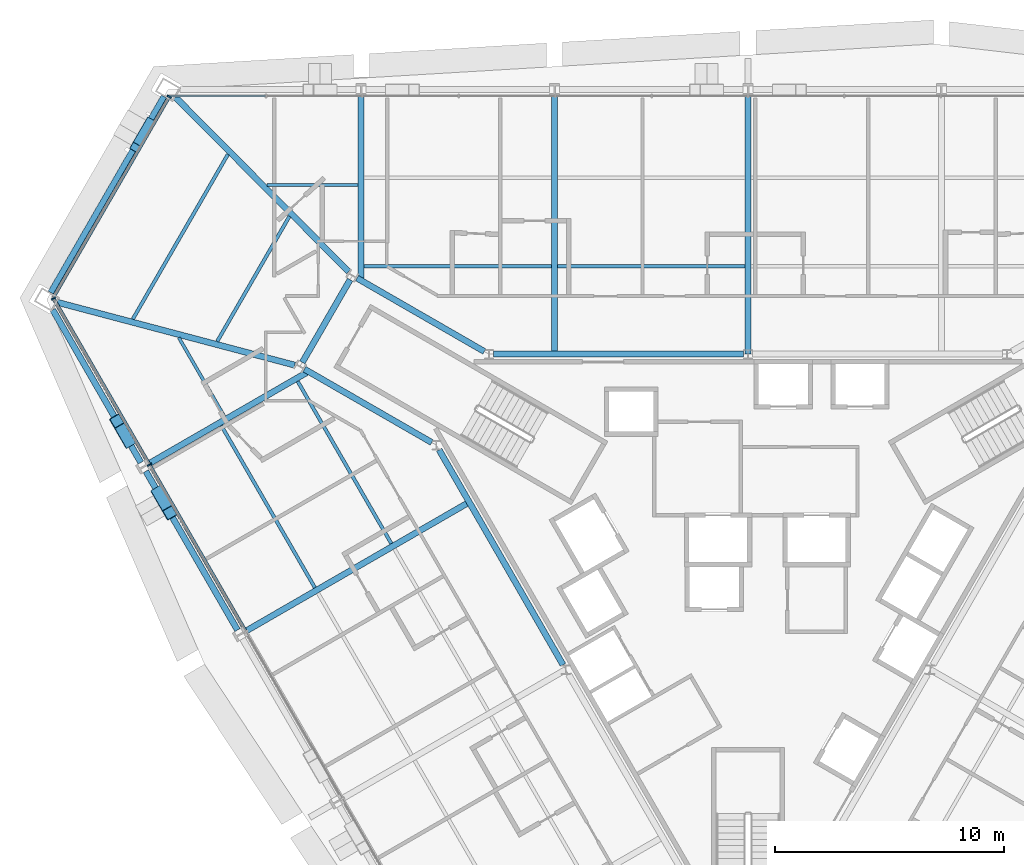
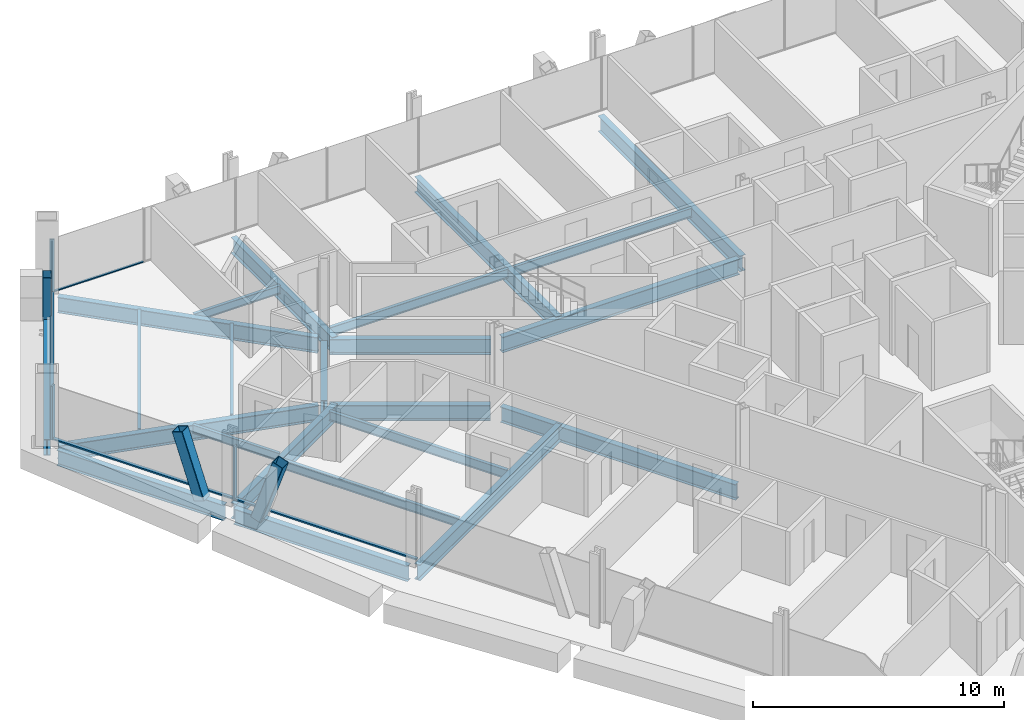
# One storey, part 5 of 17: 23 beams, 10 members, 3 elements without a shape of their own.
"""IFC4 building model written with IfcOpenShell, lengths in metres."""

from ifc_helpers import new_model, si_unit, direction, frame, origin, origin_2d, place, context, subcontext, project, spatial, rectangle, hollow_rectangle, i_section, extrude, material, material_profile, profile_set, type_object, element, aggregate, save


model = new_model("IFC4")

# Units and contexts
model_context = context("Model", 3, precision=1e-05, world=origin(), true_north=direction((0.0, 1.0)))
body_context = subcontext(model_context, "Body", "Model", "MODEL_VIEW")
ifc_project = project(units=[si_unit("LENGTHUNIT", "METRE"), si_unit("AREAUNIT", "SQUARE_METRE"), si_unit("VOLUMEUNIT", "CUBIC_METRE"), si_unit("PLANEANGLEUNIT", "RADIAN"), si_unit("MASSUNIT", "GRAM", prefix="KILO")], contexts=[model_context])

# Site, building, storey
site_placement = place(None, origin())
site = spatial("IfcSite", under=ifc_project, at=site_placement, CompositionType="ELEMENT")
building_placement = place(site_placement, origin())
building = spatial("IfcBuilding", under=site, at=building_placement, Name="Verrane Prism Tower", CompositionType="ELEMENT")
storey_placement = place(building_placement, frame((0.0, 0.0, 40.39990234375)))
storey = spatial("IfcBuildingStorey", under=building, at=storey_placement, Name="L07", CompositionType="ELEMENT", Elevation=40.39990234375)

# Member
ifc_material_1 = material(Name="Steel A500 Grade C", Category="steel")
ifc_material_profile_1 = material_profile(ifc_material_1, hollow_rectangle(XDim=0.355712890625, YDim=0.355712890625, WallThickness=0.0126953125, InnerFilletRadius=0.00634765625, OuterFilletRadius=0.01904296875, at=origin_2d()), Name="HSS14x14x1/2")
ifc_profile_set_1 = profile_set([ifc_material_profile_1], Name="Steel A500 Grade C")
member_type_1 = type_object("IfcMemberType", Name="Chamfer brace HSS14x14x1/2", PredefinedType="BRACE", material=ifc_profile_set_1)
member_1_placement = place(storey_placement, frame((-26.18994140625, 19.349853515625, -0.2451171875), z_axis=(-0.193856733958, -0.335783542661, 0.921774907001), x_axis=(0.866034321076, -0.49998455448, 0.0)))
element("IfcMember", 1, at=member_1_placement, inside=storey, type_object=member_type_1, Name="Chamfer brace NW0 L07", PredefinedType="BRACE", context=body_context, shape_type="SweptSolid", body=[
    extrude(hollow_rectangle(XDim=0.355712890625, YDim=0.355712890625, WallThickness=0.0126953125, InnerFilletRadius=0.00634765625, OuterFilletRadius=0.01904296875, at=origin_2d()), origin(), (0.0, 0.0, 1.0), 3.258056640625),
])

# Beams
ifc_material_2 = material(Name="Steel A992", Category="steel")
ifc_material_profile_2 = material_profile(ifc_material_2, i_section(OverallWidth=0.2666015625, OverallDepth=0.76708984375, WebThickness=0.014892578125, FlangeThickness=0.023681640625, FilletRadius=0.0166015625, at=origin_2d()), Name="W30x124")
ifc_profile_set_2 = profile_set([ifc_material_profile_2], Name="Steel A992")
beam_type_1 = type_object("IfcBeamType", Name="Chamfer spandrel beam W30x124", PredefinedType="SPANDREL", material=ifc_profile_set_2)
beam_1_placement = place(storey_placement, frame((-25.544921875, 20.466796875, -0.54345703125), z_axis=(-0.500011342071, -0.866018855338, 0.0), x_axis=(0.866018855338, -0.500011342071, 0.0)))
element("IfcBeam", 2, at=beam_1_placement, inside=storey, type_object=beam_type_1, Name="Chamfer spandrel beam L07", PredefinedType="SPANDREL", context=body_context, shape_type="SweptSolid", body=[
    extrude(i_section(OverallWidth=0.2666015625, OverallDepth=0.76708984375, WebThickness=0.014892578125, FlangeThickness=0.023681640625, FilletRadius=0.0166015625, at=origin_2d()), origin(), (0.0, 0.0, 1.0), 9.900146484375),
])
ifc_material_3 = material(Name="Steel A992", Category="steel")
ifc_material_profile_3 = material_profile(ifc_material_3, i_section(OverallWidth=0.2666015625, OverallDepth=0.7568359375, WebThickness=0.013916015625, FlangeThickness=0.019287109375, FilletRadius=0.0166015625, at=origin_2d()), Name="W30x108")
ifc_profile_set_3 = profile_set([ifc_material_profile_3], Name="Steel A992")
beam_type_2 = type_object("IfcBeamType", Name="Core ring girder W30x108", PredefinedType="BEAM", material=ifc_profile_set_3)
beam_2_placement = place(storey_placement, frame((-0.203125, 9.199951171875, -0.62841796875), z_axis=(-1.0, 0.0, 0.0), x_axis=(0.0, -1.0, 0.0)))
element("IfcBeam", 3, at=beam_2_placement, inside=storey, type_object=beam_type_2, Name="Core ring girder L07", PredefinedType="BEAM", context=body_context, shape_type="SweptSolid", body=[
    extrude(i_section(OverallWidth=0.2666015625, OverallDepth=0.7568359375, WebThickness=0.013916015625, FlangeThickness=0.019287109375, FilletRadius=0.0166015625, at=origin_2d()), origin(), (0.0, 0.0, 1.0), 10.923583984375),
])
beam_3_placement = place(storey_placement, frame((-11.533203125, 9.317138671875, -0.62841796875), z_axis=(-0.866447229751, 0.499268663203, 0.0), x_axis=(-0.499268663203, -0.866447229751, 0.0)))
element("IfcBeam", 4, at=beam_3_placement, inside=storey, type_object=beam_type_2, Name="Core ring girder L07", PredefinedType="BEAM", context=body_context, shape_type="SweptSolid", body=[
    extrude(i_section(OverallWidth=0.2666015625, OverallDepth=0.7568359375, WebThickness=0.013916015625, FlangeThickness=0.019287109375, FilletRadius=0.0166015625, at=origin_2d()), origin(), (0.0, 0.0, 1.0), 6.428466796875),
])
beam_4_placement = place(storey_placement, frame((-17.40478515625, 12.45849609375, -0.62841796875), z_axis=(-0.500349643494, -0.865823442888, 0.0), x_axis=(0.865823442888, -0.500349643494, 0.0)))
element("IfcBeam", 5, at=beam_4_placement, inside=storey, type_object=beam_type_2, Name="Core ring girder L07", PredefinedType="BEAM", context=body_context, shape_type="SweptSolid", body=[
    extrude(i_section(OverallWidth=0.2666015625, OverallDepth=0.7568359375, WebThickness=0.013916015625, FlangeThickness=0.019287109375, FilletRadius=0.0166015625, at=origin_2d()), origin(), (0.0, 0.0, 1.0), 4.177734375),
])
beam_5_placement = place(storey_placement, frame((-19.403076171875, 8.54638671875, -0.62841796875), z_axis=(0.86646365882, -0.499240150574, 0.0), x_axis=(0.499240150574, 0.86646365882, 0.0)))
element("IfcBeam", 6, at=beam_5_placement, inside=storey, type_object=beam_type_2, Name="Core ring girder L07", PredefinedType="BEAM", context=body_context, shape_type="SweptSolid", body=[
    extrude(i_section(OverallWidth=0.2666015625, OverallDepth=0.7568359375, WebThickness=0.013916015625, FlangeThickness=0.019287109375, FilletRadius=0.0166015625, at=origin_2d()), origin(), (0.0, 0.0, 1.0), 6.42822265625),
])
beam_6_placement = place(storey_placement, frame((-13.510009765625, 5.01171875, -0.62841796875), z_axis=(0.499371892062, -0.866387738498, 0.0), x_axis=(0.866387738498, 0.499371892062, 0.0)))
element("IfcBeam", 7, at=beam_6_placement, inside=storey, type_object=beam_type_2, Name="Core ring girder L07", PredefinedType="BEAM", context=body_context, shape_type="SweptSolid", body=[
    extrude(i_section(OverallWidth=0.2666015625, OverallDepth=0.7568359375, WebThickness=0.013916015625, FlangeThickness=0.019287109375, FilletRadius=0.0166015625, at=origin_2d()), origin(), (0.0, 0.0, 1.0), 10.853515625),
])
ifc_material_4 = material(Name="Steel A992", Category="steel")
ifc_material_profile_4 = material_profile(ifc_material_4, i_section(OverallWidth=0.2666015625, OverallDepth=0.76708984375, WebThickness=0.014892578125, FlangeThickness=0.023681640625, FilletRadius=0.0166015625, at=origin_2d()), Name="W30x124")
ifc_profile_set_4 = profile_set([ifc_material_profile_4], Name="Steel A992")
beam_type_3 = type_object("IfcBeamType", Name="Corner girder W30x124", PredefinedType="BEAM", material=ifc_profile_set_4)
beam_7_placement = place(storey_placement, frame((-25.04150390625, 20.43896484375, -0.603515625), z_axis=(0.704479617192, -0.709724220356, 0.0), x_axis=(0.709724220356, 0.704479617192, 0.0)))
element("IfcBeam", 8, at=beam_7_placement, inside=storey, type_object=beam_type_3, Name="Corner girder L07", PredefinedType="BEAM", context=body_context, shape_type="SweptSolid", body=[
    extrude(i_section(OverallWidth=0.2666015625, OverallDepth=0.76708984375, WebThickness=0.014892578125, FlangeThickness=0.023681640625, FilletRadius=0.0166015625, at=origin_2d()), origin(), (0.0, 0.0, 1.0), 10.753173828125),
])
beam_8_placement = place(storey_placement, frame((-30.21923828125, 11.470703125, -0.603515625), z_axis=(0.966710515477, -0.255872584047, 0.0), x_axis=(0.255872584047, 0.966710515477, 0.0)))
element("IfcBeam", 9, at=beam_8_placement, inside=storey, type_object=beam_type_3, Name="Corner girder L07", PredefinedType="BEAM", context=body_context, shape_type="SweptSolid", body=[
    extrude(i_section(OverallWidth=0.2666015625, OverallDepth=0.76708984375, WebThickness=0.014892578125, FlangeThickness=0.023681640625, FilletRadius=0.0166015625, at=origin_2d()), origin(), (0.0, 0.0, 1.0), 10.74951171875),
])

# Members
ifc_material_5 = material(Name="Steel A1085 Grade A", Category="steel")
ifc_material_profile_5 = material_profile(ifc_material_5, hollow_rectangle(XDim=0.508056640625, YDim=0.508056640625, WallThickness=0.025390625, InnerFilletRadius=0.0126953125, OuterFilletRadius=0.0380859375, at=origin_2d()), Name="HSS20x20x1")
ifc_profile_set_5 = profile_set([ifc_material_profile_5], Name="Steel A1085 Grade A")
member_type_2 = type_object("IfcMemberType", Name="Facade brace HSS20x20x1", PredefinedType="BRACE", material=ifc_profile_set_5)
member_2_placement = place(storey_placement, frame((-27.102294921875, 5.401611328125, -0.242431640625), z_axis=(-0.158827331788, 0.27540844015, 0.94811606345), x_axis=(-0.86627019449, -0.499575770167, 0.0)))
element("IfcMember", 10, at=member_2_placement, inside=storey, type_object=member_type_2, Name="Facade brace SW0 L07", PredefinedType="BRACE", context=body_context, shape_type="SweptSolid", body=[
    extrude(hollow_rectangle(XDim=0.508056640625, YDim=0.508056640625, WallThickness=0.025390625, InnerFilletRadius=0.0126953125, OuterFilletRadius=0.0380859375, at=origin_2d()), origin(), (0.0, 0.0, 1.0), 3.172607421875),
])
member_3_placement = place(storey_placement, frame((-25.7958984375, 3.13671875, -0.242431640625), z_axis=(0.159110480568, -0.275750465356, 0.947969163965), x_axis=(0.866153397047, 0.499778243608, 0.0)))
element("IfcMember", 11, at=member_3_placement, inside=storey, type_object=member_type_2, Name="Facade brace SW1 L07", PredefinedType="BRACE", context=body_context, shape_type="SweptSolid", body=[
    extrude(hollow_rectangle(XDim=0.508056640625, YDim=0.508056640625, WallThickness=0.025390625, InnerFilletRadius=0.0126953125, OuterFilletRadius=0.0380859375, at=origin_2d()), origin(), (0.0, 0.0, 1.0), 3.173095703125),
])

# Beams
ifc_material_6 = material(Name="Steel A992", Category="steel")
ifc_material_profile_6 = material_profile(ifc_material_6, i_section(OverallWidth=0.140380859375, OverallDepth=0.40380859375, WebThickness=0.007080078125, FlangeThickness=0.01123046875, FilletRadius=0.01025390625, at=origin_2d()), Name="W16x31")
ifc_profile_set_6 = profile_set([ifc_material_profile_6], Name="Steel A992")
beam_type_4 = type_object("IfcBeamType", Name="Floor beam W16x31", PredefinedType="BEAM", material=ifc_profile_set_6)
beam_9_placement = place(storey_placement, frame((-21.03759765625, 16.594970703125, -0.36181640625), z_axis=(1.0, 0.0, 0.0), x_axis=(0.0, 1.0, 0.0)))
element("IfcBeam", 12, at=beam_9_placement, inside=storey, type_object=beam_type_4, Name="Floor beam L07", PredefinedType="BEAM", context=body_context, shape_type="SweptSolid", body=[
    extrude(i_section(OverallWidth=0.140380859375, OverallDepth=0.40380859375, WebThickness=0.007080078125, FlangeThickness=0.01123046875, FilletRadius=0.01025390625, at=origin_2d()), origin(), (0.0, 0.0, 1.0), 3.984130859375),
])
beam_10_placement = place(storey_placement, frame((-22.90185546875, 6.470703125, -0.36181640625), z_axis=(-0.500005166599, 0.866022420826, 0.0), x_axis=(-0.866022420826, -0.500005166599, 0.0)))
element("IfcBeam", 13, at=beam_10_placement, inside=storey, type_object=beam_type_4, Name="Floor beam L07", PredefinedType="BEAM", context=body_context, shape_type="SweptSolid", body=[
    extrude(i_section(OverallWidth=0.140380859375, OverallDepth=0.40380859375, WebThickness=0.007080078125, FlangeThickness=0.01123046875, FilletRadius=0.01025390625, at=origin_2d()), origin(), (0.0, 0.0, 1.0), 3.98681640625),
])
ifc_material_7 = material(Name="Steel A992", Category="steel")
ifc_material_profile_7 = material_profile(ifc_material_7, i_section(OverallWidth=0.15234375, OverallDepth=0.449462890625, WebThickness=0.007568359375, FlangeThickness=0.0107421875, FilletRadius=0.01025390625, at=origin_2d()), Name="W18x35")
ifc_profile_set_7 = profile_set([ifc_material_profile_7], Name="Steel A992")
beam_type_5 = type_object("IfcBeamType", Name="Floor beam W18x35", PredefinedType="BEAM", material=ifc_profile_set_7)
beam_11_placement = place(storey_placement, frame((-8.326416015625, 13.056640625, -0.384765625), z_axis=(1.0, 0.0, 0.0), x_axis=(0.0, 1.0, 0.0)))
element("IfcBeam", 14, at=beam_11_placement, inside=storey, type_object=beam_type_5, Name="Floor beam L07", PredefinedType="BEAM", context=body_context, shape_type="SweptSolid", body=[
    extrude(i_section(OverallWidth=0.15234375, OverallDepth=0.449462890625, WebThickness=0.007568359375, FlangeThickness=0.0107421875, FilletRadius=0.01025390625, at=origin_2d()), origin(), (0.0, 0.0, 1.0), 8.19287109375),
])
for number, where, z_axis, x_axis, name in (
    (15, (-16.78662109375, 13.056640625, -0.384765625), (1.0, 0.0, 0.0), (0.0, 1.0, 0.0), "Floor beam L07"),
    (16, (-15.60009765625, 0.91552734375, -0.384765625), (-0.49998813555, 0.86603225362, 0.0), (-0.86603225362, -0.49998813555, 0.0), "Floor beam L07"),
):
    element("IfcBeam", number, at=place(storey_placement, frame(where, z_axis=z_axis, x_axis=x_axis)), inside=storey, type_object=beam_type_5, Name=name, PredefinedType="BEAM", context=body_context, shape_type="SweptSolid", body=[
        extrude(i_section(OverallWidth=0.15234375, OverallDepth=0.449462890625, WebThickness=0.007568359375, FlangeThickness=0.0107421875, FilletRadius=0.01025390625, at=origin_2d()), origin(), (0.0, 0.0, 1.0), 8.193115234375),
    ])
beam_12_placement = place(storey_placement, frame((-18.943359375, -1.014404296875, -0.384765625), z_axis=(-0.500013012896, 0.866017890655, 0.0), x_axis=(-0.866017890655, -0.500013012896, 0.0)))
element("IfcBeam", 17, at=beam_12_placement, inside=storey, type_object=beam_type_5, Name="Floor beam L07", PredefinedType="BEAM", context=body_context, shape_type="SweptSolid", body=[
    extrude(i_section(OverallWidth=0.15234375, OverallDepth=0.449462890625, WebThickness=0.007568359375, FlangeThickness=0.0107421875, FilletRadius=0.01025390625, at=origin_2d()), origin(), (0.0, 0.0, 1.0), 8.194580078125),
])
beam_13_placement = place(storey_placement, frame((-23.219482421875, 9.756103515625, -0.384765625), z_axis=(0.499989926711, 0.866031219522, 0.0), x_axis=(-0.866031219522, 0.499989926711, 0.0)))
element("IfcBeam", 18, at=beam_13_placement, inside=storey, type_object=beam_type_5, Name="Floor beam L07", PredefinedType="BEAM", context=body_context, shape_type="SweptSolid", body=[
    extrude(i_section(OverallWidth=0.15234375, OverallDepth=0.449462890625, WebThickness=0.007568359375, FlangeThickness=0.0107421875, FilletRadius=0.01025390625, at=origin_2d()), origin(), (0.0, 0.0, 1.0), 6.321044921875),
])
beam_14_placement = place(storey_placement, frame((-26.910400390625, 10.73291015625, -0.384765625), z_axis=(0.500000939553, 0.866024861332, 0.0), x_axis=(-0.866024861332, 0.500000939553, 0.0)))
element("IfcBeam", 19, at=beam_14_placement, inside=storey, type_object=beam_type_5, Name="Floor beam L07", PredefinedType="BEAM", context=body_context, shape_type="SweptSolid", body=[
    extrude(i_section(OverallWidth=0.15234375, OverallDepth=0.449462890625, WebThickness=0.007568359375, FlangeThickness=0.0107421875, FilletRadius=0.01025390625, at=origin_2d()), origin(), (0.0, 0.0, 1.0), 8.322265625),
])

# Curtain wall, member
ifc_material_8 = material(Name="Aluminium framed insulated glazing", Category="aluminium")
curtain_wall_type_1 = type_object("IfcCurtainWallType", Name="Curtain wall CW-A 8400 module", PredefinedType="NOTDEFINED", material=ifc_material_8)
curtain_wall_1_placement = place(storey_placement, origin())
curtain_wall_1 = element("IfcCurtainWall", 20, at=curtain_wall_1_placement, inside=storey, type_object=curtain_wall_type_1, Name="Glazed curtain wall north-west corner L07", PredefinedType="NOTDEFINED")
ifc_material_9 = material(Name="Aluminium alloy 6063-T6", Category="aluminium")
ifc_material_profile_8 = material_profile(ifc_material_9, rectangle(XDim=0.199951171875, YDim=0.070068359375, at=origin_2d()), Name="Mullion 70x200 aluminium")
ifc_profile_set_8 = profile_set([ifc_material_profile_8], Name="Aluminium alloy 6063-T6")
member_type_3 = type_object("IfcMemberType", Name="Mullion 70x200 aluminium", PredefinedType="MULLION", material=ifc_profile_set_8)
member_4_placement = place(storey_placement, frame((-25.319091796875, 20.460693359375, 0.0), z_axis=(0.0, 0.0, 1.0), x_axis=(0.866027227665, -0.499996840933, 0.0)))
member_4 = element("IfcMember", 21, at=member_4_placement, type_object=member_type_3, Name="CW06.3 mullion 1", PredefinedType="MULLION", context=body_context, shape_type="SweptSolid", body=[
    extrude(rectangle(XDim=0.199951171875, YDim=0.070068359375, at=origin_2d()), origin(), (0.0, 0.0, 1.0), 2.613037109375),
])

# Curtain wall, members
curtain_wall_2_placement = place(storey_placement, origin())
curtain_wall_2 = element("IfcCurtainWall", 22, at=curtain_wall_2_placement, inside=storey, type_object=curtain_wall_type_1, Name="Glazed curtain wall south-west face L07", PredefinedType="NOTDEFINED")
member_5_placement = place(storey_placement, frame((-30.37890625, 11.635986328125, 0.0), z_axis=(0.0, 0.0, 1.0), x_axis=(0.866025123598, 0.500000485297, 0.0)))
member_5 = element("IfcMember", 23, at=member_5_placement, type_object=member_type_3, Name="CW06.4 mullion 1", PredefinedType="MULLION", context=body_context, shape_type="SweptSolid", body=[
    extrude(rectangle(XDim=0.199951171875, YDim=0.070068359375, at=origin_2d()), origin(), (0.0, 0.0, 1.0), 2.613037109375),
])
member_6_placement = place(storey_placement, frame((-26.1796875, 4.3623046875, 0.0), z_axis=(0.0, 0.0, 1.0), x_axis=(0.866025123598, 0.500000485297, 0.0)))
member_6 = element("IfcMember", 24, at=member_6_placement, type_object=member_type_3, Name="CW06.4 mullion 2", PredefinedType="MULLION", context=body_context, shape_type="SweptSolid", body=[
    extrude(rectangle(XDim=0.199951171875, YDim=0.070068359375, at=origin_2d()), origin(), (0.0, 0.0, 1.0), 2.613037109375),
])

# Beams
ifc_material_10 = material(Name="Steel A992", Category="steel")
ifc_material_profile_9 = material_profile(ifc_material_10, i_section(OverallWidth=0.2666015625, OverallDepth=0.76708984375, WebThickness=0.014892578125, FlangeThickness=0.023681640625, FilletRadius=0.0166015625, at=origin_2d()), Name="W30x124")
ifc_profile_set_9 = profile_set([ifc_material_profile_9], Name="Steel A992")
beam_type_6 = type_object("IfcBeamType", Name="Radial girder W30x124", PredefinedType="BEAM", material=ifc_profile_set_9)
for number, where, z_axis, x_axis, name in (
    (25, (0.0, 20.504638671875, -0.603515625), (0.0, -1.0, 0.0), (1.0, 0.0, 0.0), "Radial girder L07"),
    (26, (-8.4599609375, 20.504638671875, -0.603515625), (0.0, -1.0, 0.0), (1.0, 0.0, 0.0), "Radial girder L07"),
):
    element("IfcBeam", number, at=place(storey_placement, frame(where, z_axis=z_axis, x_axis=x_axis)), inside=storey, type_object=beam_type_6, Name=name, PredefinedType="BEAM", context=body_context, shape_type="SweptSolid", body=[
        extrude(i_section(OverallWidth=0.2666015625, OverallDepth=0.76708984375, WebThickness=0.014892578125, FlangeThickness=0.023681640625, FilletRadius=0.0166015625, at=origin_2d()), origin(), (0.0, 0.0, 1.0), 11.3046875),
    ])
beam_15_placement = place(storey_placement, frame((-16.919921875, 20.504638671875, -0.603515625), z_axis=(0.0, -1.0, 0.0), x_axis=(1.0, 0.0, 0.0)))
element("IfcBeam", 27, at=beam_15_placement, inside=storey, type_object=beam_type_6, Name="Radial girder L07", PredefinedType="BEAM", context=body_context, shape_type="SweptSolid", body=[
    extrude(i_section(OverallWidth=0.2666015625, OverallDepth=0.76708984375, WebThickness=0.014892578125, FlangeThickness=0.023681640625, FilletRadius=0.0166015625, at=origin_2d()), origin(), (0.0, 0.0, 1.0), 8.083740234375),
])
beam_16_placement = place(storey_placement, frame((-26.22021484375, 4.402587890625, -0.603515625), z_axis=(0.866018025241, 0.500012779794, 0.0), x_axis=(-0.500012779794, 0.866018025241, 0.0)))
element("IfcBeam", 28, at=beam_16_placement, inside=storey, type_object=beam_type_6, Name="Radial girder L07", PredefinedType="BEAM", context=body_context, shape_type="SweptSolid", body=[
    extrude(i_section(OverallWidth=0.2666015625, OverallDepth=0.76708984375, WebThickness=0.014892578125, FlangeThickness=0.023681640625, FilletRadius=0.0166015625, at=origin_2d()), origin(), (0.0, 0.0, 1.0), 8.079833984375),
])
beam_17_placement = place(storey_placement, frame((-21.989990234375, -2.92724609375, -0.603515625), z_axis=(0.866021685936, 0.500006439447, 0.0), x_axis=(-0.500006439447, 0.866021685936, 0.0)))
element("IfcBeam", 29, at=beam_17_placement, inside=storey, type_object=beam_type_6, Name="Radial girder L07", PredefinedType="BEAM", context=body_context, shape_type="SweptSolid", body=[
    extrude(i_section(OverallWidth=0.2666015625, OverallDepth=0.76708984375, WebThickness=0.014892578125, FlangeThickness=0.023681640625, FilletRadius=0.0166015625, at=origin_2d()), origin(), (0.0, 0.0, 1.0), 11.311279296875),
])
ifc_material_11 = material(Name="Steel A992", Category="steel")
ifc_material_profile_10 = material_profile(ifc_material_11, i_section(OverallWidth=0.2666015625, OverallDepth=0.7568359375, WebThickness=0.013916015625, FlangeThickness=0.019287109375, FilletRadius=0.0166015625, at=origin_2d()), Name="W30x108")
ifc_profile_set_10 = profile_set([ifc_material_profile_10], Name="Steel A992")
beam_type_7 = type_object("IfcBeamType", Name="Spandrel beam W30x108", PredefinedType="SPANDREL", material=ifc_profile_set_10)
beam_18_placement = place(storey_placement, frame((-30.410400390625, 11.1396484375, -0.538330078125), z_axis=(0.499457388948, -0.866338453854, 0.0), x_axis=(0.866338453854, 0.499457388948, 0.0)))
element("IfcBeam", 30, at=beam_18_placement, inside=storey, type_object=beam_type_7, Name="Spandrel beam L07", PredefinedType="SPANDREL", context=body_context, shape_type="SweptSolid", body=[
    extrude(i_section(OverallWidth=0.2666015625, OverallDepth=0.7568359375, WebThickness=0.013916015625, FlangeThickness=0.019287109375, FilletRadius=0.0166015625, at=origin_2d()), origin(), (0.0, 0.0, 1.0), 7.70849609375),
])
beam_19_placement = place(storey_placement, frame((-26.339599609375, 4.07861328125, -0.538330078125), z_axis=(0.499815553799, -0.866131867663, 0.0), x_axis=(0.866131867663, 0.499815553799, 0.0)))
element("IfcBeam", 31, at=beam_19_placement, inside=storey, type_object=beam_type_7, Name="Spandrel beam L07", PredefinedType="SPANDREL", context=body_context, shape_type="SweptSolid", body=[
    extrude(i_section(OverallWidth=0.2666015625, OverallDepth=0.7568359375, WebThickness=0.013916015625, FlangeThickness=0.019287109375, FilletRadius=0.0166015625, at=origin_2d()), origin(), (0.0, 0.0, 1.0), 8.02099609375),
])

# Curtain wall, member
ifc_material_12 = material(Name="Aluminium framed insulated glazing", Category="aluminium")
curtain_wall_type_2 = type_object("IfcCurtainWallType", Name="Curtain wall CW-C 4200 module", PredefinedType="NOTDEFINED", material=ifc_material_12)
curtain_wall_3_placement = place(storey_placement, origin())
curtain_wall_3 = element("IfcCurtainWall", 32, at=curtain_wall_3_placement, inside=storey, type_object=curtain_wall_type_2, Name="Glazed curtain wall north face L07", PredefinedType="NOTDEFINED")
ifc_material_13 = material(Name="Aluminium alloy 6063-T6", Category="aluminium")
ifc_material_profile_11 = material_profile(ifc_material_13, rectangle(XDim=0.10009765625, YDim=0.050048828125, at=origin_2d()), Name="Transom 50x100 aluminium")
ifc_profile_set_11 = profile_set([ifc_material_profile_11], Name="Aluminium alloy 6063-T6")
member_type_4 = type_object("IfcMemberType", Name="Transom 50x100 aluminium", PredefinedType="USERDEFINED", material=ifc_profile_set_11)
member_7_placement = place(storey_placement, frame((-21.109619140625, 20.490966796875, 0.025146484375), z_axis=(-1.0, 0.0, 0.0), x_axis=(0.0, -1.0, 0.0)))
member_7 = element("IfcMember", 33, at=member_7_placement, type_object=member_type_4, Name="CW06.2 transom 12", ObjectType="TRANSOM", PredefinedType="USERDEFINED", context=body_context, shape_type="SweptSolid", body=[
    extrude(rectangle(XDim=0.10009765625, YDim=0.050048828125, at=origin_2d()), origin(), (0.0, 0.0, 1.0), 4.19189453125),
])
aggregate(curtain_wall_3, [member_7])

# Member
ifc_material_14 = material(Name="Aluminium alloy 6063-T6", Category="aluminium")
ifc_material_profile_12 = material_profile(ifc_material_14, rectangle(XDim=0.14990234375, YDim=0.070068359375, at=origin_2d()), Name="Transom 70x150 aluminium")
ifc_profile_set_12 = profile_set([ifc_material_profile_12], Name="Aluminium alloy 6063-T6")
member_type_5 = type_object("IfcMemberType", Name="Transom 70x150 aluminium", PredefinedType="USERDEFINED", material=ifc_profile_set_12)
member_8_placement = place(storey_placement, frame((-25.336669921875, 20.430419921875, 0.03515625), z_axis=(-0.499986973201, -0.86603292468, 0.0), x_axis=(0.86603292468, -0.499986973201, 0.0)))
member_8 = element("IfcMember", 34, at=member_8_placement, type_object=member_type_5, Name="CW06.3 transom 1", ObjectType="TRANSOM", PredefinedType="USERDEFINED", context=body_context, shape_type="SweptSolid", body=[
    extrude(rectangle(XDim=0.14990234375, YDim=0.070068359375, at=origin_2d()), origin(), (0.0, 0.0, 1.0), 10.119873046875),
])

aggregate(curtain_wall_1, [member_4, member_8])

member_9_placement = place(storey_placement, frame((-30.361572265625, 11.605712890625, 0.03515625), z_axis=(0.500004095543, -0.866023039209, 0.0), x_axis=(0.866023039209, 0.500004095543, 0.0)))
member_9 = element("IfcMember", 35, at=member_9_placement, type_object=member_type_5, Name="CW06.4 transom 1", ObjectType="TRANSOM", PredefinedType="USERDEFINED", context=body_context, shape_type="SweptSolid", body=[
    extrude(rectangle(XDim=0.14990234375, YDim=0.070068359375, at=origin_2d()), origin(), (0.0, 0.0, 1.0), 8.3291015625),
])

member_10_placement = place(storey_placement, frame((-26.162109375, 4.33203125, 0.03515625), z_axis=(0.499991130599, -0.866030524475, 0.0), x_axis=(0.866030524475, 0.499991130599, 0.0)))
member_10 = element("IfcMember", 36, at=member_10_placement, type_object=member_type_5, Name="CW06.4 transom 2", ObjectType="TRANSOM", PredefinedType="USERDEFINED", context=body_context, shape_type="SweptSolid", body=[
    extrude(rectangle(XDim=0.14990234375, YDim=0.070068359375, at=origin_2d()), origin(), (0.0, 0.0, 1.0), 8.364013671875),
])

aggregate(curtain_wall_2, [member_5, member_6, member_9, member_10])

save(model, "model.ifc")
